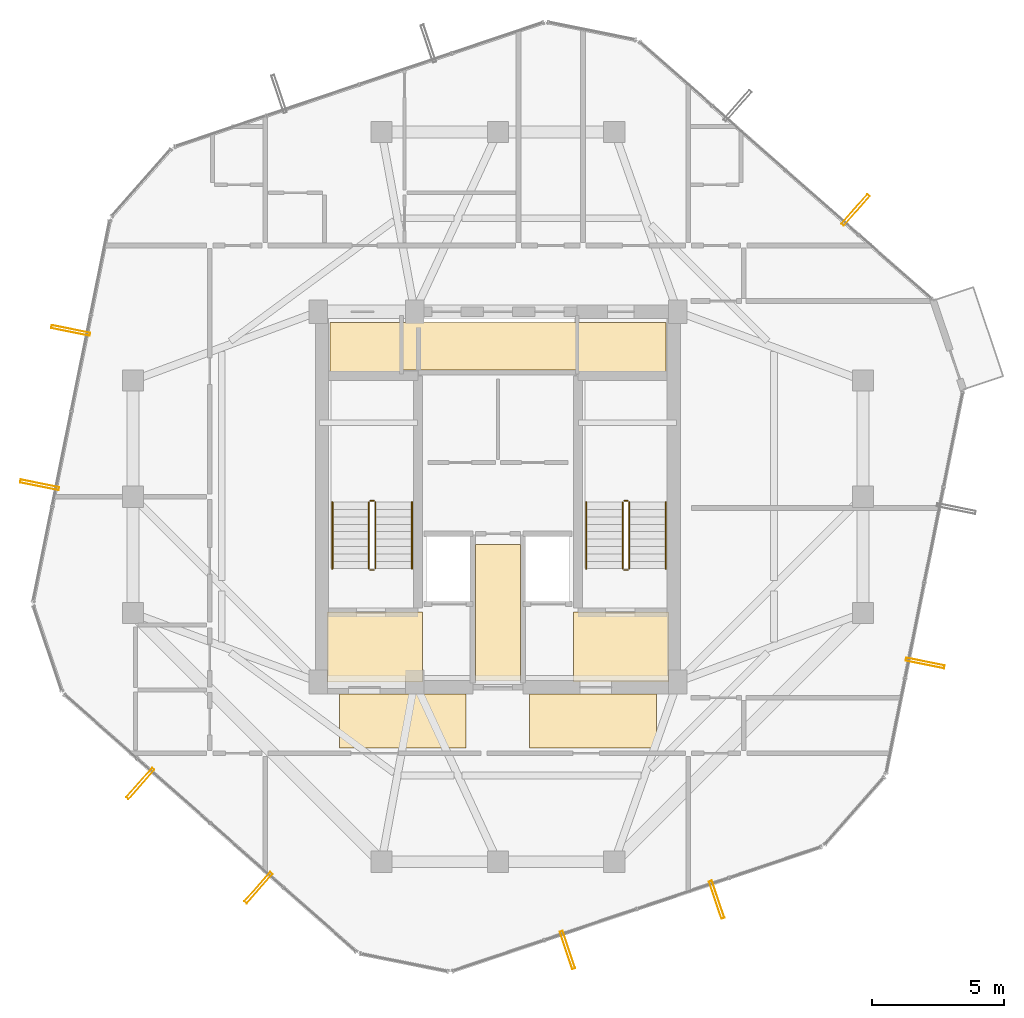
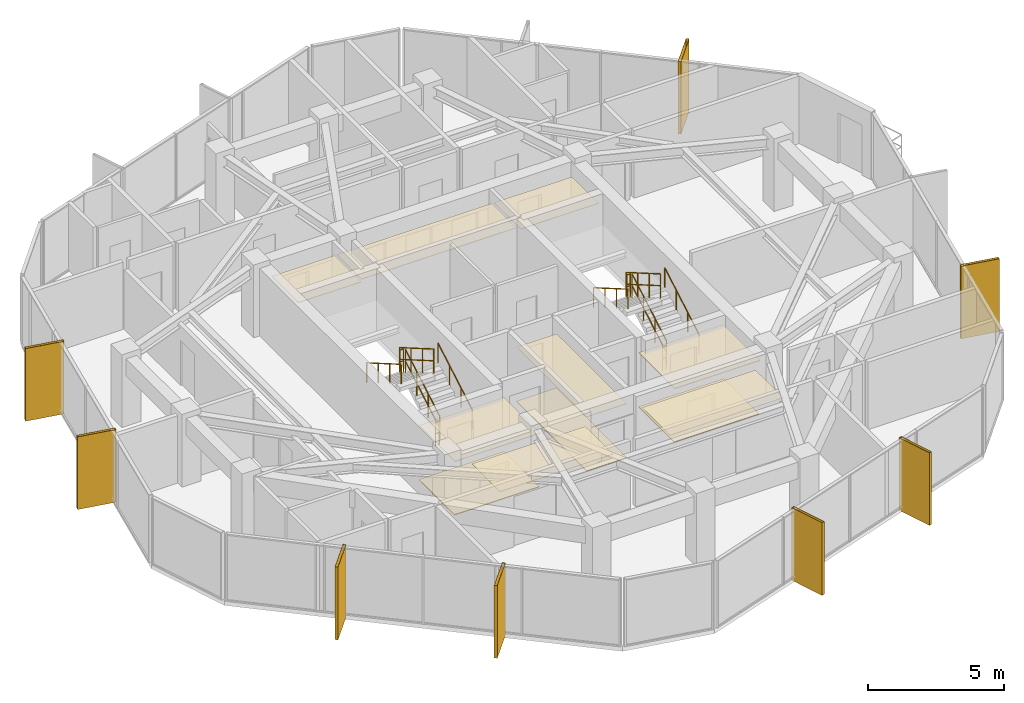
# One storey, part 27 of 28: 12 railings, 11 coverings, 8 shading devices.
"""IFC4 building model written with IfcOpenShell, lengths in metres."""

import ifcopenshell
import ifcopenshell.guid

model = None  # the IFC model being written
_history = None  # IfcOwnerHistory: only IFC2X3 demands one
_inside = {}  # id of a spatial element -> (the spatial element, [elements in it])
_under = {}  # id of a project, library or spatial element -> (it, [spatial elements below it])
_declared = {}  # id of a project -> (the project, [libraries it declares])
_typed = {}  # id of a type object -> (the type object, [elements of that type])
_made_of = {}  # id of a material, layer set ... -> (it, [elements and type objects made of it])


def new_model(schema):
    """Start an empty IFC model of exactly this schema.

    Asked for "IFC4X3", IfcOpenShell would pick the latest addendum, in which some entities
    have other attributes; the version numbers below select the first issue.
    IFC2X3 requires an IfcOwnerHistory on every rooted entity: one is made here for all.
    """
    global model, _history
    if schema == "IFC4X3":
        model = ifcopenshell.file(schema_version=(4, 3, 0, 0))
    else:
        model = ifcopenshell.file(schema=schema)
    _inside.clear()
    _under.clear()
    _declared.clear()
    _typed.clear()
    _made_of.clear()
    _history = None
    if model.schema == "IFC2X3":
        org = make("IfcOrganization", Name="unknown")
        user = make(
            "IfcPersonAndOrganization",
            ThePerson=make("IfcPerson", FamilyName="unknown"),
            TheOrganization=org,
        )
        app = make(
            "IfcApplication",
            ApplicationDeveloper=org,
            Version="unknown",
            ApplicationFullName="unknown",
            ApplicationIdentifier="unknown",
        )
        _history = make(
            "IfcOwnerHistory",
            OwningUser=user,
            OwningApplication=app,
            ChangeAction="ADDED",
            CreationDate=0,
        )
    return model


def make(cls, **values):
    """One entity of the class cls with the attributes given. An attribute that is None is left unset."""
    return model.create_entity(
        cls, **{name: value for name, value in values.items() if value is not None}
    )


def rooted(cls, **values):
    """An entity with a GlobalId (a new one), such as an element, a storey or a relation."""
    return make(cls, GlobalId=ifcopenshell.guid.new(), OwnerHistory=_history, **values)


def si_unit(unit_type, name, prefix=None):
    """IfcSIUnit, for example si_unit("LENGTHUNIT", "METRE", prefix="MILLI")."""
    return make("IfcSIUnit", UnitType=unit_type, Prefix=prefix, Name=name)


def assignment(units):
    """IfcUnitAssignment: the units of a project."""
    return None if units is None else make("IfcUnitAssignment", Units=units)


def point(xyz):
    """IfcCartesianPoint."""
    return None if xyz is None else make("IfcCartesianPoint", Coordinates=xyz)


def direction(xyz):
    """IfcDirection."""
    return None if xyz is None else make("IfcDirection", DirectionRatios=xyz)


def frame(location, z_axis=None, x_axis=None):
    """IfcAxis2Placement3D, a coordinate frame: its origin and axes. An axis left out is left unset."""
    return make(
        "IfcAxis2Placement3D",
        Location=point(location),
        Axis=direction(z_axis),
        RefDirection=direction(x_axis),
    )


def frame_2d(location, x_axis=None):
    """IfcAxis2Placement2D, a coordinate frame in the plane: its origin and x axis."""
    return make(
        "IfcAxis2Placement2D", Location=point(location), RefDirection=direction(x_axis)
    )


def origin():
    """The frame at (0, 0, 0) with its axes left unset."""
    return frame((0.0, 0.0, 0.0))


def origin_2d():
    """The frame at (0, 0) in the plane with its x axis left unset."""
    return frame_2d((0.0, 0.0))


def place(relative_to, where):
    """IfcLocalPlacement: puts the frame where relative to a parent placement (None: the world)."""
    return make(
        "IfcLocalPlacement", PlacementRelTo=relative_to, RelativePlacement=where
    )


def context(
    kind, dimensions, precision=None, world=None, true_north=None, identifier=None
):
    """IfcGeometricRepresentationContext, for example the 3D "Model" context."""
    return make(
        "IfcGeometricRepresentationContext",
        ContextIdentifier=identifier,
        ContextType=kind,
        CoordinateSpaceDimension=dimensions,
        Precision=precision,
        WorldCoordinateSystem=world,
        TrueNorth=true_north,
    )


def subcontext(parent, identifier, kind, view, scale=None):
    """IfcGeometricRepresentationSubContext, for example "Body" below "Model"."""
    return make(
        "IfcGeometricRepresentationSubContext",
        ContextIdentifier=identifier,
        ContextType=kind,
        ParentContext=parent,
        TargetScale=scale,
        TargetView=view,
    )


def project(units=None, contexts=None):
    """IfcProject with its units and contexts."""
    return rooted(
        "IfcProject",
        Name="project",
        RepresentationContexts=contexts,
        UnitsInContext=assignment(units),
    )


def spatial(cls, under=None, at=None, **own):
    """A site, building, storey or space (cls), placed at a placement, below another one or the project."""
    s = rooted(cls, ObjectPlacement=at, **own)
    if under is not None:
        _under.setdefault(under.id(), (under, []))[1].append(s)
    return s


def polyline(points):
    """IfcPolyline through the points."""
    return make("IfcPolyline", Points=[point(p) for p in points])


def profile(cls, at=None, kind="AREA", **sizes):
    """A parametric profile (cls). Its sizes go by their IFC names, for example OverallWidth=200.0."""
    return make(cls, ProfileType=kind, Position=at, **sizes)


def hollow_rectangle(**sizes):
    """IfcRectangleHollowProfileDef."""
    return profile("IfcRectangleHollowProfileDef", **sizes)


def circle(**sizes):
    """IfcCircleProfileDef."""
    return profile("IfcCircleProfileDef", **sizes)


def outline(outer, holes=None, kind="AREA"):
    """IfcArbitraryClosedProfileDef: a profile drawn as a closed curve; with holes, ...WithVoids."""
    if holes is None:
        return make("IfcArbitraryClosedProfileDef", ProfileType=kind, OuterCurve=outer)
    return make(
        "IfcArbitraryProfileDefWithVoids",
        ProfileType=kind,
        OuterCurve=outer,
        InnerCurves=holes,
    )


def extrude(swept, where, along, depth):
    """IfcExtrudedAreaSolid: the profile swept, set in the frame where, extruded along a direction by depth."""
    return make(
        "IfcExtrudedAreaSolid",
        SweptArea=swept,
        Position=where,
        ExtrudedDirection=direction(along),
        Depth=depth,
    )


def shape(context_of_items, identifier, shape_type, items):
    """IfcShapeRepresentation: the items that make up one representation, for example the "Body"."""
    return make(
        "IfcShapeRepresentation",
        ContextOfItems=context_of_items,
        RepresentationIdentifier=identifier,
        RepresentationType=shape_type,
        Items=items,
    )


def material(Name=None, Category=None):
    """IfcMaterial."""
    return make("IfcMaterial", Name=Name, Category=Category)


def layer(
    of_material, thickness, ventilated=None, Name=None, Category=None, Priority=None
):
    """IfcMaterialLayer: one layer of a wall or slab, of a material (None: an air gap)."""
    return make(
        "IfcMaterialLayer",
        Material=of_material,
        LayerThickness=thickness,
        IsVentilated=ventilated,
        Name=Name,
        Category=Category,
        Priority=Priority,
    )


def layer_set(layers, Name=None):
    """IfcMaterialLayerSet."""
    return make("IfcMaterialLayerSet", MaterialLayers=layers, LayerSetName=Name)


def material_profile(
    of_material, cross_section, Name=None, Category=None, Priority=None
):
    """IfcMaterialProfile: a cross section and its material."""
    return make(
        "IfcMaterialProfile",
        Name=Name,
        Material=of_material,
        Profile=cross_section,
        Priority=Priority,
        Category=Category,
    )


def profile_set(profiles, Name=None, composite=None):
    """IfcMaterialProfileSet."""
    return make(
        "IfcMaterialProfileSet",
        Name=Name,
        MaterialProfiles=profiles,
        CompositeProfile=composite,
    )


def made_of(thing, what):
    """Note that an element or type object is made of a material, layer set ...; save() writes the relation."""
    if what is not None:
        _made_of.setdefault(what.id(), (what, []))[1].append(thing)
    return thing


def type_object(cls, material=None, **own):
    """A type object (cls), such as IfcWallType, which elements share."""
    return made_of(rooted(cls, **own), material)


def element(
    cls,
    number,
    at=None,
    inside=None,
    cuts=None,
    type_object=None,
    material=None,
    context=None,
    identifier="Body",
    shape_type=None,
    held_by="IfcProductDefinitionShape",
    body=None,
    shapes=None,
    **own,
):
    """One element of the class cls, such as IfcWall. Its Tag is "e" and its number.

    at: its placement. inside: the storey or other place that contains it. cuts: it is an
    opening in that element (IfcRelVoidsElement). A single representation is given by context,
    identifier, shape_type and body (its items); several are given by shapes. held_by: the class
    of the entity that holds the representations. save() writes the other relations.
    """
    e = rooted(cls, Tag="e%d" % number, ObjectPlacement=at, **own)
    if body is not None:
        shapes = [shape(context, identifier, shape_type, body)]
    if shapes is not None:
        e.Representation = make(held_by, Representations=shapes)
    if inside is not None:
        _inside.setdefault(inside.id(), (inside, []))[1].append(e)
    if cuts is not None:
        rooted(
            "IfcRelVoidsElement", RelatingBuildingElement=cuts, RelatedOpeningElement=e
        )
    if type_object is not None:
        _typed.setdefault(type_object.id(), (type_object, []))[1].append(e)
    return made_of(e, material)


def aggregate(whole, parts):
    """IfcRelAggregates: a whole, such as a stair, and the parts it consists of."""
    return rooted("IfcRelAggregates", RelatingObject=whole, RelatedObjects=parts)


def save(model, path):
    """Write the relations noted so far, then the file.

    IfcRelAggregates (storeys below a building ...), IfcRelContainedInSpatialStructure (elements
    in a storey), IfcRelDefinesByType, IfcRelAssociatesMaterial and IfcRelDeclares: one each for
    every whole, place, type object, material and project.
    """
    for whole, parts in _under.values():
        aggregate(whole, parts)
    for where, things in _inside.values():
        rooted(
            "IfcRelContainedInSpatialStructure",
            RelatedElements=things,
            RelatingStructure=where,
        )
    for kind, things in _typed.values():
        rooted("IfcRelDefinesByType", RelatedObjects=things, RelatingType=kind)
    for what, things in _made_of.values():
        rooted("IfcRelAssociatesMaterial", RelatedObjects=things, RelatingMaterial=what)
    for by, libraries in _declared.values():
        rooted("IfcRelDeclares", RelatingContext=by, RelatedDefinitions=libraries)
    model.write(path)


model = new_model("IFC4")

# Units and contexts
model_context = context("Model", 3, precision=1e-05, world=origin(), true_north=direction((0.0, 1.0)))
body_context = subcontext(model_context, "Body", "Model", "MODEL_VIEW")
ifc_project = project(units=[si_unit("LENGTHUNIT", "METRE"), si_unit("AREAUNIT", "SQUARE_METRE"), si_unit("VOLUMEUNIT", "CUBIC_METRE"), si_unit("PLANEANGLEUNIT", "RADIAN"), si_unit("MASSUNIT", "GRAM", prefix="KILO")], contexts=[model_context])

# Site, building, storey
site_placement = place(None, origin())
site = spatial("IfcSite", under=ifc_project, at=site_placement, CompositionType="ELEMENT")
building_placement = place(site_placement, origin())
building = spatial("IfcBuilding", under=site, at=building_placement, Name="Veraguas Prism Commons", CompositionType="ELEMENT")
storey_placement = place(building_placement, frame((0.0, 0.0, 248.0)))
storey = spatial("IfcBuildingStorey", under=building, at=storey_placement, Name="L70", CompositionType="ELEMENT", Elevation=248.0)

# Shading devices
ifc_material_1 = material(Name="Anodised aluminium EN AW-6063 T6", Category="aluminium")
ifc_material_profile = material_profile(ifc_material_1, hollow_rectangle(XDim=0.1201171875, YDim=1.489990234375, WallThickness=0.006103515625, at=origin_2d()), Name="FIN120X1490X6")
ifc_profile_set = profile_set([ifc_material_profile], Name="Anodised aluminium EN AW-6063 T6")
shading_device_type = type_object("IfcShadingDeviceType", Name="Deep Pale-Metal Vertical Solar Fin 120x1490", PredefinedType="USERDEFINED", material=ifc_profile_set)
for number, where, z_axis, x_axis, name in (
    (1, (37.5244140625, 34.847412109375, -0.215087890625), (0.0, 0.0, 1.0), (-0.75034417281, 0.66104736769, 0.0), "Vertical Pale-Metal Solar Fin L70-F1A"),
    (2, (7.84375, 30.288818359375, -0.215087890625), (0.0, 0.0, 1.0), (-0.197315149153, -0.980340110326, 0.0), "Vertical Pale-Metal Solar Fin L70-F3A"),
    (3, (6.6689453125, 24.451416015625, -0.215087890625), (0.0, 0.0, 1.0), (-0.197315149153, -0.980340110326, 0.0), "Vertical Pale-Metal Solar Fin L70-F3B"),
    (4, (10.4755859375, 13.152587890625, -0.215087890625), (0.0, 0.0, 1.0), (0.75034417281, -0.66104736769, 0.0), "Vertical Pale-Metal Solar Fin L70-F4A"),
    (5, (14.943603515625, 9.21630859375, -0.215087890625), (0.0, 0.0, 1.0), (0.75034417281, -0.66104736769, 0.0), "Vertical Pale-Metal Solar Fin L70-F4B"),
    (6, (26.6318359375, 6.864013671875, -0.215087890625), (0.0, 0.0, 1.0), (0.947658128995, 0.319286815496, 0.0), "Vertical Pale-Metal Solar Fin L70-F5A"),
    (7, (32.274658203125, 8.76513671875, -0.215087890625), (0.0, 0.0, 1.0), (0.947658128995, 0.319286815496, 0.0), "Vertical Pale-Metal Solar Fin L70-F5B"),
    (8, (40.15625, 17.711181640625, -0.215087890625), (0.0, 0.0, 1.0), (0.197315149153, 0.980340110326, 0.0), "Vertical Pale-Metal Solar Fin L70-F6A"),
):
    element("IfcShadingDevice", number, at=place(storey_placement, frame(where, z_axis=z_axis, x_axis=x_axis)), inside=storey, type_object=shading_device_type, Name=name, ObjectType="FIN", PredefinedType="USERDEFINED", context=body_context, shape_type="SweptSolid", body=[
        extrude(hollow_rectangle(XDim=0.1201171875, YDim=1.489990234375, WallThickness=0.006103515625, at=origin_2d()), origin(), (0.0, 0.0, 1.0), 3.25),
    ])

# Coverings
ifc_material_2 = material(Name="Acoustic gypsum board")
ifc_layer_1 = layer(ifc_material_2, 0.02490234375, Name="Perforated Acoustic Ceiling Tile 25")
ifc_layer_set_1 = layer_set([ifc_layer_1], Name="Acoustic gypsum board")
covering_type_1 = type_object("IfcCoveringType", Name="Perforated Acoustic Ceiling Tile 25", PredefinedType="USERDEFINED", material=ifc_layer_set_1)
covering_1_placement = place(storey_placement, frame((0.0, 0.0, 2.425048828125)))
element("IfcCovering", 9, at=covering_1_placement, inside=storey, type_object=covering_type_1, Name="East Lobby Acoustic Ceiling L70", ObjectType="ACOUSTIC CEILING", PredefinedType="USERDEFINED", context=body_context, shape_type="SweptSolid", body=[
    extrude(outline(polyline([(26.85009765625, 17.0), (30.449951171875, 17.0), (30.449951171875, 19.64990234375), (26.85009765625, 19.64990234375), (26.85009765625, 17.0)])), origin(), (0.0, 0.0, 1.0), 0.02490234375),
])
ifc_material_3 = material(Name="Terrazzo stone finish", Category="masonry")
ifc_layer_2 = layer(ifc_material_3, 0.030029296875, Name="Polished Terrazzo Floor Finish 30", Category="masonry")
ifc_layer_set_2 = layer_set([ifc_layer_2], Name="Terrazzo stone finish")
covering_type_2 = type_object("IfcCoveringType", Name="Polished Terrazzo Floor Finish 30", PredefinedType="FLOORING", material=ifc_layer_set_2)
covering_2_placement = place(storey_placement, origin())
element("IfcCovering", 10, at=covering_2_placement, inside=storey, type_object=covering_type_2, Name="Terrazzo Lobby Flooring L70", PredefinedType="FLOORING", context=body_context, shape_type="SweptSolid", body=[
    extrude(outline(polyline([(23.14990234375, 17.050048828125), (24.85009765625, 17.050048828125), (24.85009765625, 22.199951171875), (23.14990234375, 22.199951171875), (23.14990234375, 17.050048828125)])), origin(), (0.0, 0.0, 1.0), 0.030029296875),
])
covering_3_placement = place(storey_placement, origin())
element("IfcCovering", 11, at=covering_3_placement, inside=storey, type_object=covering_type_2, Name="West FF Lobby Terrazzo Flooring L70", PredefinedType="FLOORING", context=body_context, shape_type="SweptSolid", body=[
    extrude(outline(polyline([(17.550048828125, 17.050048828125), (21.14990234375, 17.050048828125), (21.14990234375, 19.64990234375), (17.550048828125, 19.64990234375), (17.550048828125, 17.050048828125)])), origin(), (0.0, 0.0, 1.0), 0.030029296875),
])
covering_4_placement = place(storey_placement, origin())
element("IfcCovering", 12, at=covering_4_placement, inside=storey, type_object=covering_type_2, Name="East FF Lobby Terrazzo Flooring L70", PredefinedType="FLOORING", context=body_context, shape_type="SweptSolid", body=[
    extrude(outline(polyline([(26.85009765625, 17.050048828125), (30.449951171875, 17.050048828125), (30.449951171875, 19.64990234375), (26.85009765625, 19.64990234375), (26.85009765625, 17.050048828125)])), origin(), (0.0, 0.0, 1.0), 0.030029296875),
])

# Railings
ifc_material_4 = material(Name="Stainless steel AISI 316", Category="steel")
railing_type_1 = type_object("IfcRailingType", Name="Stair and Ramp Stainless Handrail 900", PredefinedType="HANDRAIL", material=ifc_material_4)
railing_1_placement = place(storey_placement, frame((20.75, 21.280029296875, 0.16259765625)))
element("IfcRailing", 13, at=railing_1_placement, inside=storey, type_object=railing_type_1, Name="Stair Handrail ST-01 L70-1", PredefinedType="HANDRAIL", context=body_context, shape_type="SweptSolid", body=[
    extrude(circle(Radius=0.02392578125, at=origin_2d()), frame((0.0, 0.0, 0.8759765625), z_axis=(0.0, 0.864913338283, 0.50192122615), x_axis=(-1.0, 0.0, 0.0)), (0.0, 0.0, 1.0), 2.91357421875),
    extrude(circle(Radius=0.02099609375, at=origin_2d()), origin(), (0.0, 0.0, 1.0), 0.851806640625),
    extrude(circle(Radius=0.02099609375, at=origin_2d()), frame((0.0, 0.840087890625, 0.487548828125)), (0.0, 0.0, 1.0), 0.851806640625),
    extrude(circle(Radius=0.02099609375, at=origin_2d()), frame((0.0, 1.679931640625, 0.974853515625)), (0.0, 0.0, 1.0), 0.851806640625),
    extrude(circle(Radius=0.02099609375, at=origin_2d()), frame((0.0, 2.52001953125, 1.46240234375)), (0.0, 0.0, 1.0), 0.851806640625),
])
railing_2_placement = place(storey_placement, frame((17.739990234375, 23.800048828125, 1.78759765625)))
element("IfcRailing", 14, at=railing_2_placement, inside=storey, type_object=railing_type_1, Name="Stair Handrail ST-01 L70-2", PredefinedType="HANDRAIL", context=body_context, shape_type="SweptSolid", body=[
    extrude(circle(Radius=0.02392578125, at=origin_2d()), frame((0.0, 0.0, 0.8759765625), z_axis=(0.0, -0.864913338283, 0.50192122615), x_axis=(1.0, 0.0, 0.0)), (0.0, 0.0, 1.0), 2.91357421875),
    extrude(circle(Radius=0.02099609375, at=origin_2d()), origin(), (0.0, 0.0, 1.0), 0.851806640625),
    extrude(circle(Radius=0.02099609375, at=origin_2d()), frame((0.0, -0.840087890625, 0.487548828125)), (0.0, 0.0, 1.0), 0.851806640625),
    extrude(circle(Radius=0.02099609375, at=origin_2d()), frame((0.0, -1.679931640625, 0.974853515625)), (0.0, 0.0, 1.0), 0.851806640625),
    extrude(circle(Radius=0.02099609375, at=origin_2d()), frame((0.0, -2.52001953125, 1.46240234375)), (0.0, 0.0, 1.0), 0.851806640625),
])
railing_3_placement = place(storey_placement, frame((30.35009765625, 21.280029296875, 0.16259765625)))
element("IfcRailing", 15, at=railing_3_placement, inside=storey, type_object=railing_type_1, Name="Stair Handrail ST-02 L70-1", PredefinedType="HANDRAIL", context=body_context, shape_type="SweptSolid", body=[
    extrude(circle(Radius=0.02392578125, at=origin_2d()), frame((0.0, 0.0, 0.8759765625), z_axis=(0.0, 0.864913338283, 0.50192122615), x_axis=(-1.0, 0.0, 0.0)), (0.0, 0.0, 1.0), 2.91357421875),
    extrude(circle(Radius=0.02099609375, at=origin_2d()), origin(), (0.0, 0.0, 1.0), 0.851806640625),
    extrude(circle(Radius=0.02099609375, at=origin_2d()), frame((0.0, 0.840087890625, 0.487548828125)), (0.0, 0.0, 1.0), 0.851806640625),
    extrude(circle(Radius=0.02099609375, at=origin_2d()), frame((0.0, 1.679931640625, 0.974853515625)), (0.0, 0.0, 1.0), 0.851806640625),
    extrude(circle(Radius=0.02099609375, at=origin_2d()), frame((0.0, 2.52001953125, 1.46240234375)), (0.0, 0.0, 1.0), 0.851806640625),
])
railing_4_placement = place(storey_placement, frame((27.340087890625, 23.800048828125, 1.78759765625)))
element("IfcRailing", 16, at=railing_4_placement, inside=storey, type_object=railing_type_1, Name="Stair Handrail ST-02 L70-2", PredefinedType="HANDRAIL", context=body_context, shape_type="SweptSolid", body=[
    extrude(circle(Radius=0.02392578125, at=origin_2d()), frame((0.0, 0.0, 0.8759765625), z_axis=(0.0, -0.864913338283, 0.50192122615), x_axis=(1.0, 0.0, 0.0)), (0.0, 0.0, 1.0), 2.91357421875),
    extrude(circle(Radius=0.02099609375, at=origin_2d()), origin(), (0.0, 0.0, 1.0), 0.851806640625),
    extrude(circle(Radius=0.02099609375, at=origin_2d()), frame((0.0, -0.840087890625, 0.487548828125)), (0.0, 0.0, 1.0), 0.851806640625),
    extrude(circle(Radius=0.02099609375, at=origin_2d()), frame((0.0, -1.679931640625, 0.974853515625)), (0.0, 0.0, 1.0), 0.851806640625),
    extrude(circle(Radius=0.02099609375, at=origin_2d()), frame((0.0, -2.52001953125, 1.46240234375)), (0.0, 0.0, 1.0), 0.851806640625),
])
railing_type_2 = type_object("IfcRailingType", Name="Stairwell Safety Guardrail 1100", PredefinedType="GUARDRAIL", material=ifc_material_4)
railing_5_placement = place(storey_placement, frame((19.3701171875, 21.280029296875, 0.16259765625)))
element("IfcRailing", 17, at=railing_5_placement, inside=storey, type_object=railing_type_2, Name="Stair Guard ST-01 L70-1", PredefinedType="GUARDRAIL", context=body_context, shape_type="SweptSolid", body=[
    extrude(circle(Radius=0.02392578125, at=origin_2d()), frame((0.0, 0.0, 1.076171875), z_axis=(0.0, 0.864913338283, 0.50192122615), x_axis=(-1.0, 0.0, 0.0)), (0.0, 0.0, 1.0), 2.91357421875),
    extrude(circle(Radius=0.02392578125, at=origin_2d()), frame((0.0, 0.0, 0.550048828125), z_axis=(0.0, 0.864913338283, 0.50192122615), x_axis=(-1.0, 0.0, 0.0)), (0.0, 0.0, 1.0), 2.91357421875),
    extrude(circle(Radius=0.02099609375, at=origin_2d()), origin(), (0.0, 0.0, 1.0), 1.052001953125),
    extrude(circle(Radius=0.02099609375, at=origin_2d()), frame((0.0, 0.840087890625, 0.487548828125)), (0.0, 0.0, 1.0), 1.052001953125),
    extrude(circle(Radius=0.02099609375, at=origin_2d()), frame((0.0, 1.679931640625, 0.974853515625)), (0.0, 0.0, 1.0), 1.052001953125),
    extrude(circle(Radius=0.02099609375, at=origin_2d()), frame((0.0, 2.52001953125, 1.46240234375)), (0.0, 0.0, 1.0), 1.052001953125),
])
railing_6_placement = place(storey_placement, frame((19.320068359375, 23.85009765625, 1.625)))
element("IfcRailing", 18, at=railing_6_placement, inside=storey, type_object=railing_type_2, Name="Stair Guard ST-01 L70-2", PredefinedType="GUARDRAIL", context=body_context, shape_type="SweptSolid", body=[
    extrude(circle(Radius=0.02392578125, at=origin_2d()), frame((0.0, 0.0, 1.076171875), z_axis=(-1.0, 0.0, 0.0), x_axis=(0.0, -1.0, 0.0)), (0.0, 0.0, 1.0), 0.150146484375),
    extrude(circle(Radius=0.02392578125, at=origin_2d()), frame((0.0, 0.0, 0.550048828125), z_axis=(-1.0, 0.0, 0.0), x_axis=(0.0, -1.0, 0.0)), (0.0, 0.0, 1.0), 0.150146484375),
    extrude(circle(Radius=0.02099609375, at=origin_2d()), origin(), (0.0, 0.0, 1.0), 1.052001953125),
    extrude(circle(Radius=0.02099609375, at=origin_2d()), frame((-0.150146484375, 0.0, 0.0)), (0.0, 0.0, 1.0), 1.052001953125),
])
railing_7_placement = place(storey_placement, frame((19.1201171875, 23.800048828125, 1.78759765625)))
element("IfcRailing", 19, at=railing_7_placement, inside=storey, type_object=railing_type_2, Name="Stair Guard ST-01 L70-3", PredefinedType="GUARDRAIL", context=body_context, shape_type="SweptSolid", body=[
    extrude(circle(Radius=0.02392578125, at=origin_2d()), frame((0.0, 0.0, 1.076171875), z_axis=(0.0, -0.864913338283, 0.50192122615), x_axis=(1.0, 0.0, 0.0)), (0.0, 0.0, 1.0), 2.91357421875),
    extrude(circle(Radius=0.02392578125, at=origin_2d()), frame((0.0, 0.0, 0.550048828125), z_axis=(0.0, -0.864913338283, 0.50192122615), x_axis=(1.0, 0.0, 0.0)), (0.0, 0.0, 1.0), 2.91357421875),
    extrude(circle(Radius=0.02099609375, at=origin_2d()), origin(), (0.0, 0.0, 1.0), 1.052001953125),
    extrude(circle(Radius=0.02099609375, at=origin_2d()), frame((0.0, -0.840087890625, 0.487548828125)), (0.0, 0.0, 1.0), 1.052001953125),
    extrude(circle(Radius=0.02099609375, at=origin_2d()), frame((0.0, -1.679931640625, 0.974853515625)), (0.0, 0.0, 1.0), 1.052001953125),
    extrude(circle(Radius=0.02099609375, at=origin_2d()), frame((0.0, -2.52001953125, 1.46240234375)), (0.0, 0.0, 1.0), 1.052001953125),
])
railing_8_placement = place(storey_placement, frame((19.320068359375, 21.22998046875, 0.0)))
element("IfcRailing", 20, at=railing_8_placement, inside=storey, type_object=railing_type_2, Name="Stair Guard ST-01 L70-4", PredefinedType="GUARDRAIL", context=body_context, shape_type="SweptSolid", body=[
    extrude(circle(Radius=0.02392578125, at=origin_2d()), frame((0.0, 0.0, 1.076171875), z_axis=(-1.0, 0.0, 0.0), x_axis=(0.0, -1.0, 0.0)), (0.0, 0.0, 1.0), 0.150146484375),
    extrude(circle(Radius=0.02392578125, at=origin_2d()), frame((0.0, 0.0, 0.550048828125), z_axis=(-1.0, 0.0, 0.0), x_axis=(0.0, -1.0, 0.0)), (0.0, 0.0, 1.0), 0.150146484375),
    extrude(circle(Radius=0.02099609375, at=origin_2d()), origin(), (0.0, 0.0, 1.0), 1.052001953125),
    extrude(circle(Radius=0.02099609375, at=origin_2d()), frame((-0.150146484375, 0.0, 0.0)), (0.0, 0.0, 1.0), 1.052001953125),
])
railing_9_placement = place(storey_placement, frame((28.969970703125, 21.280029296875, 0.16259765625)))
element("IfcRailing", 21, at=railing_9_placement, inside=storey, type_object=railing_type_2, Name="Stair Guard ST-02 L70-1", PredefinedType="GUARDRAIL", context=body_context, shape_type="SweptSolid", body=[
    extrude(circle(Radius=0.02392578125, at=origin_2d()), frame((0.0, 0.0, 1.076171875), z_axis=(0.0, 0.864913338283, 0.50192122615), x_axis=(-1.0, 0.0, 0.0)), (0.0, 0.0, 1.0), 2.91357421875),
    extrude(circle(Radius=0.02392578125, at=origin_2d()), frame((0.0, 0.0, 0.550048828125), z_axis=(0.0, 0.864913338283, 0.50192122615), x_axis=(-1.0, 0.0, 0.0)), (0.0, 0.0, 1.0), 2.91357421875),
    extrude(circle(Radius=0.02099609375, at=origin_2d()), origin(), (0.0, 0.0, 1.0), 1.052001953125),
    extrude(circle(Radius=0.02099609375, at=origin_2d()), frame((0.0, 0.840087890625, 0.487548828125)), (0.0, 0.0, 1.0), 1.052001953125),
    extrude(circle(Radius=0.02099609375, at=origin_2d()), frame((0.0, 1.679931640625, 0.974853515625)), (0.0, 0.0, 1.0), 1.052001953125),
    extrude(circle(Radius=0.02099609375, at=origin_2d()), frame((0.0, 2.52001953125, 1.46240234375)), (0.0, 0.0, 1.0), 1.052001953125),
])
railing_10_placement = place(storey_placement, frame((28.919921875, 23.85009765625, 1.625)))
element("IfcRailing", 22, at=railing_10_placement, inside=storey, type_object=railing_type_2, Name="Stair Guard ST-02 L70-2", PredefinedType="GUARDRAIL", context=body_context, shape_type="SweptSolid", body=[
    extrude(circle(Radius=0.02392578125, at=origin_2d()), frame((0.0, 0.0, 1.076171875), z_axis=(-1.0, 0.0, 0.0), x_axis=(0.0, -1.0, 0.0)), (0.0, 0.0, 1.0), 0.14990234375),
    extrude(circle(Radius=0.02392578125, at=origin_2d()), frame((0.0, 0.0, 0.550048828125), z_axis=(-1.0, 0.0, 0.0), x_axis=(0.0, -1.0, 0.0)), (0.0, 0.0, 1.0), 0.14990234375),
    extrude(circle(Radius=0.02099609375, at=origin_2d()), origin(), (0.0, 0.0, 1.0), 1.052001953125),
    extrude(circle(Radius=0.02099609375, at=origin_2d()), frame((-0.14990234375, 0.0, 0.0)), (0.0, 0.0, 1.0), 1.052001953125),
])
railing_11_placement = place(storey_placement, frame((28.719970703125, 23.800048828125, 1.78759765625)))
element("IfcRailing", 23, at=railing_11_placement, inside=storey, type_object=railing_type_2, Name="Stair Guard ST-02 L70-3", PredefinedType="GUARDRAIL", context=body_context, shape_type="SweptSolid", body=[
    extrude(circle(Radius=0.02392578125, at=origin_2d()), frame((0.0, 0.0, 1.076171875), z_axis=(0.0, -0.864913338283, 0.50192122615), x_axis=(1.0, 0.0, 0.0)), (0.0, 0.0, 1.0), 2.91357421875),
    extrude(circle(Radius=0.02392578125, at=origin_2d()), frame((0.0, 0.0, 0.550048828125), z_axis=(0.0, -0.864913338283, 0.50192122615), x_axis=(1.0, 0.0, 0.0)), (0.0, 0.0, 1.0), 2.91357421875),
    extrude(circle(Radius=0.02099609375, at=origin_2d()), origin(), (0.0, 0.0, 1.0), 1.052001953125),
    extrude(circle(Radius=0.02099609375, at=origin_2d()), frame((0.0, -0.840087890625, 0.487548828125)), (0.0, 0.0, 1.0), 1.052001953125),
    extrude(circle(Radius=0.02099609375, at=origin_2d()), frame((0.0, -1.679931640625, 0.974853515625)), (0.0, 0.0, 1.0), 1.052001953125),
    extrude(circle(Radius=0.02099609375, at=origin_2d()), frame((0.0, -2.52001953125, 1.46240234375)), (0.0, 0.0, 1.0), 1.052001953125),
])
railing_12_placement = place(storey_placement, frame((28.919921875, 21.22998046875, 0.0)))
element("IfcRailing", 24, at=railing_12_placement, inside=storey, type_object=railing_type_2, Name="Stair Guard ST-02 L70-4", PredefinedType="GUARDRAIL", context=body_context, shape_type="SweptSolid", body=[
    extrude(circle(Radius=0.02392578125, at=origin_2d()), frame((0.0, 0.0, 1.076171875), z_axis=(-1.0, 0.0, 0.0), x_axis=(0.0, -1.0, 0.0)), (0.0, 0.0, 1.0), 0.14990234375),
    extrude(circle(Radius=0.02392578125, at=origin_2d()), frame((0.0, 0.0, 0.550048828125), z_axis=(-1.0, 0.0, 0.0), x_axis=(0.0, -1.0, 0.0)), (0.0, 0.0, 1.0), 0.14990234375),
    extrude(circle(Radius=0.02099609375, at=origin_2d()), origin(), (0.0, 0.0, 1.0), 1.052001953125),
    extrude(circle(Radius=0.02099609375, at=origin_2d()), frame((-0.14990234375, 0.0, 0.0)), (0.0, 0.0, 1.0), 1.052001953125),
])

# Coverings
ifc_layer_3 = layer(ifc_material_2, 0.02001953125, Name="Suspended Gypsum Ceiling 20")
ifc_layer_set_3 = layer_set([ifc_layer_3], Name="Acoustic gypsum board")
covering_type_3 = type_object("IfcCoveringType", Name="Suspended Gypsum Ceiling 20", PredefinedType="CEILING", material=ifc_layer_set_3)
covering_5_placement = place(storey_placement, frame((0.0, 0.0, 2.429931640625)))
element("IfcCovering", 25, at=covering_5_placement, inside=storey, type_object=covering_type_3, Name="West Lobby Suspended Gypsum Ceiling L70", PredefinedType="CEILING", context=body_context, shape_type="SweptSolid", body=[
    extrude(outline(polyline([(17.550048828125, 17.0), (21.14990234375, 17.0), (21.14990234375, 19.64990234375), (17.550048828125, 19.64990234375), (17.550048828125, 17.0)])), origin(), (0.0, 0.0, 1.0), 0.02001953125),
])
covering_6_placement = place(storey_placement, frame((0.0, 0.0, 2.429931640625)))
element("IfcCovering", 26, at=covering_6_placement, inside=storey, type_object=covering_type_3, Name="Core Lobby Acoustic Ceiling L70-1", PredefinedType="CEILING", context=body_context, shape_type="SweptSolid", body=[
    extrude(outline(polyline([(18.0, 14.5), (22.800048828125, 14.5), (22.800048828125, 16.550048828125), (18.0, 16.550048828125), (18.0, 14.5)])), origin(), (0.0, 0.0, 1.0), 0.02001953125),
])
covering_7_placement = place(storey_placement, frame((0.0, 0.0, 2.429931640625)))
element("IfcCovering", 27, at=covering_7_placement, inside=storey, type_object=covering_type_3, Name="Core Lobby Acoustic Ceiling L70-2", PredefinedType="CEILING", context=body_context, shape_type="SweptSolid", body=[
    extrude(outline(polyline([(25.199951171875, 14.5), (30.0, 14.5), (30.0, 16.550048828125), (25.199951171875, 16.550048828125), (25.199951171875, 14.5)])), origin(), (0.0, 0.0, 1.0), 0.02001953125),
])
covering_8_placement = place(storey_placement, frame((0.0, 0.0, 2.429931640625)))
element("IfcCovering", 28, at=covering_8_placement, inside=storey, type_object=covering_type_3, Name="Core Lobby Acoustic Ceiling L70-3", PredefinedType="CEILING", context=body_context, shape_type="SweptSolid", body=[
    extrude(outline(polyline([(23.14990234375, 17.050048828125), (24.85009765625, 17.050048828125), (24.85009765625, 22.199951171875), (23.14990234375, 22.199951171875), (23.14990234375, 17.050048828125)])), origin(), (0.0, 0.0, 1.0), 0.02001953125),
])
covering_9_placement = place(storey_placement, frame((0.0, 0.0, 2.429931640625)))
element("IfcCovering", 29, at=covering_9_placement, inside=storey, type_object=covering_type_3, Name="Core Lobby Acoustic Ceiling L70-4", PredefinedType="CEILING", context=body_context, shape_type="SweptSolid", body=[
    extrude(outline(polyline([(17.64990234375, 28.64990234375), (20.300048828125, 28.64990234375), (20.300048828125, 30.60009765625), (17.64990234375, 30.60009765625), (17.64990234375, 28.64990234375)])), origin(), (0.0, 0.0, 1.0), 0.02001953125),
])
covering_10_placement = place(storey_placement, frame((0.0, 0.0, 2.429931640625)))
element("IfcCovering", 30, at=covering_10_placement, inside=storey, type_object=covering_type_3, Name="Core Lobby Acoustic Ceiling L70-5", PredefinedType="CEILING", context=body_context, shape_type="SweptSolid", body=[
    extrude(outline(polyline([(27.050048828125, 28.64990234375), (30.35009765625, 28.64990234375), (30.35009765625, 30.60009765625), (27.050048828125, 30.60009765625), (27.050048828125, 28.64990234375)])), origin(), (0.0, 0.0, 1.0), 0.02001953125),
])
covering_11_placement = place(storey_placement, frame((0.0, 0.0, 2.429931640625)))
element("IfcCovering", 31, at=covering_11_placement, inside=storey, type_object=covering_type_3, Name="Core Lobby Acoustic Ceiling L70-6", PredefinedType="CEILING", context=body_context, shape_type="SweptSolid", body=[
    extrude(outline(polyline([(20.39990234375, 28.800048828125), (26.949951171875, 28.800048828125), (26.949951171875, 30.60009765625), (20.39990234375, 30.60009765625), (20.39990234375, 28.800048828125)])), origin(), (0.0, 0.0, 1.0), 0.02001953125),
])

save(model, "model.ifc")
